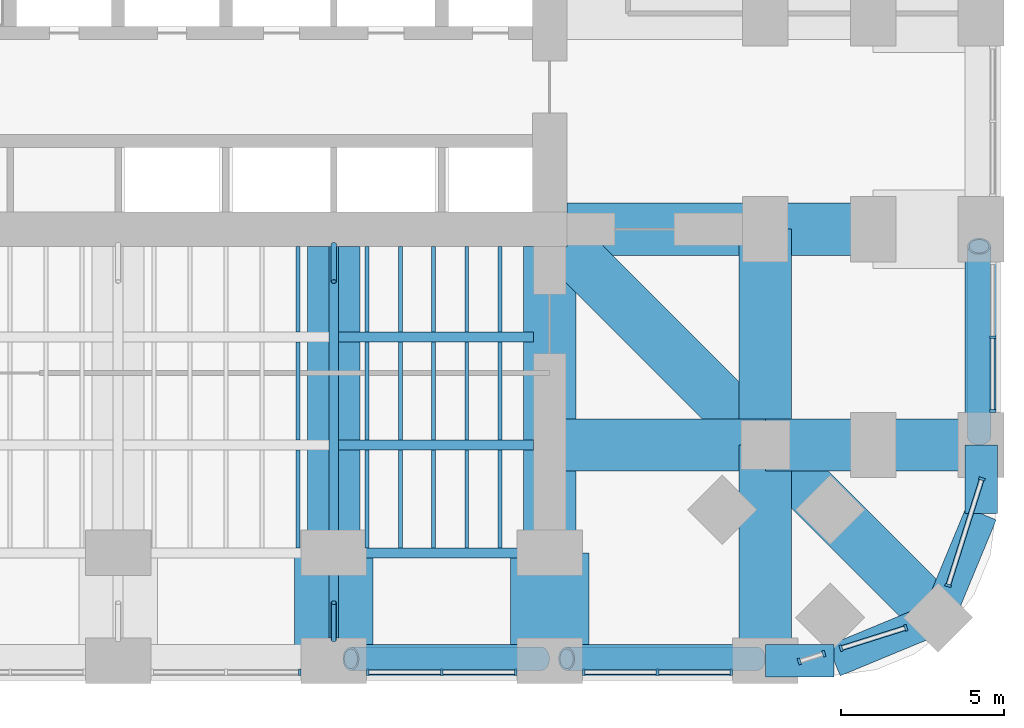
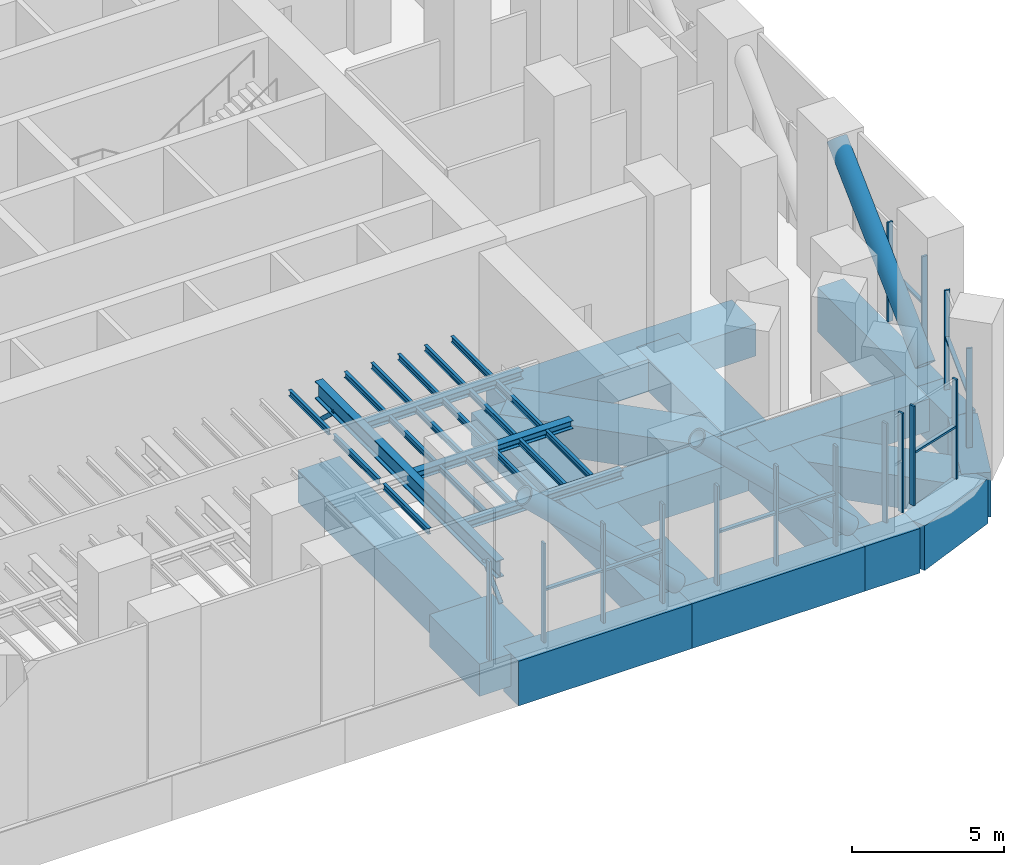
# One storey, part 5 of 17: 40 beams, 27 members, 7 elements without a shape of their own.
"""IFC4 building model written with IfcOpenShell, lengths in metres."""

from ifc_helpers import new_model, si_unit, direction, frame, origin, origin_2d, place, context, subcontext, project, spatial, rectangle, hollow_circle, i_section, extrude, material, material_profile, profile_set, type_object, element, aggregate, save


model = new_model("IFC4")

# Units and contexts
model_context = context("Model", 3, precision=1e-05, world=origin(), true_north=direction((0.0, 1.0)))
body_context = subcontext(model_context, "Body", "Model", "MODEL_VIEW")
ifc_project = project(units=[si_unit("LENGTHUNIT", "METRE"), si_unit("AREAUNIT", "SQUARE_METRE"), si_unit("VOLUMEUNIT", "CUBIC_METRE"), si_unit("PLANEANGLEUNIT", "RADIAN"), si_unit("MASSUNIT", "GRAM", prefix="KILO")], contexts=[model_context])

# Site, building, storey
site_placement = place(None, origin())
site = spatial("IfcSite", under=ifc_project, at=site_placement, CompositionType="ELEMENT")
building_placement = place(site_placement, origin())
building = spatial("IfcBuilding", under=site, at=building_placement, Name="Cobogo Forest Laboratory Tower", CompositionType="ELEMENT")
storey_placement = place(building_placement, frame((0.0, 0.0, 75.89990234375)))
storey = spatial("IfcBuildingStorey", under=building, at=storey_placement, Name="L17", CompositionType="ELEMENT", Elevation=75.89990234375)

# Members
ifc_material_1 = material(Name="Steel S460NH", Category="steel")
ifc_material_profile_1 = material_profile(ifc_material_1, hollow_circle(Radius=0.35546875, WallThickness=0.06005859375, at=origin_2d()), Name="CHS 711x60")
ifc_profile_set_1 = profile_set([ifc_material_profile_1], Name="Steel S460NH")
member_type_1 = type_object("IfcMemberType", Name="Belt truss diagonal CHS 711x60", PredefinedType="BRACE", material=ifc_profile_set_1)
for number, where, z_axis, x_axis, name in (
    (1, (39.35009765625, 0.06005859375, 0.23876953125), (-0.723363796511, 0.0, 0.690467101242), (0.0, -1.0, 0.0), "BT1 belt truss diagonal S05 L17"),
    (2, (45.949951171875, 0.06005859375, 0.23876953125), (-0.723349354665, 0.0, 0.69048223084), (0.0, -1.0, 0.0), "BT1 belt truss diagonal S06 L17"),
    (3, (52.739990234375, 6.85009765625, 0.23876953125), (0.0, 0.723349354665, 0.69048223084), (-1.0, 0.0, 0.0), "BT1 belt truss diagonal E07 L17"),
):
    element("IfcMember", number, at=place(storey_placement, frame(where, z_axis=z_axis, x_axis=x_axis)), inside=storey, type_object=member_type_1, Name=name, PredefinedType="BRACE", context=body_context, shape_type="SweptSolid", body=[
        extrude(hollow_circle(Radius=0.35546875, WallThickness=0.06005859375, at=origin_2d()), origin(), (0.0, 0.0, 1.0), 8.0595703125),
    ])

# Curtain wall, member
ifc_material_2 = material(Name="Aluminium curtain wall", Category="aluminium")
curtain_wall_type = type_object("IfcCurtainWallType", Name="CW-P louvred curtain wall, plant floors", PredefinedType="USERDEFINED", material=ifc_material_2)
curtain_wall_1_placement = place(storey_placement, origin())
curtain_wall_1 = element("IfcCurtainWall", 4, at=curtain_wall_1_placement, inside=storey, type_object=curtain_wall_type, Name="Curtain wall 04 L17", ObjectType="LOUVRED CURTAIN WALL", PredefinedType="USERDEFINED")
ifc_material_3 = material(Name="Aluminium mullion", Category="aluminium")
ifc_material_profile_2 = material_profile(ifc_material_3, rectangle(XDim=0.080078125, YDim=0.199951171875, at=origin_2d()), Name="AL 80x200")
ifc_profile_set_2 = profile_set([ifc_material_profile_2], Name="Aluminium mullion")
member_type_2 = type_object("IfcMemberType", Name="MU-3 aluminium louvre mullion 80x200", PredefinedType="MULLION", material=ifc_profile_set_2)
member_1_placement = place(storey_placement, frame((31.9599609375, -0.35009765625, 0.0), z_axis=(0.0, 0.0, 1.0), x_axis=(1.0, 0.0, 0.0)))
member_1 = element("IfcMember", 5, at=member_1_placement, type_object=member_type_2, Name="CW-P mullion 3", PredefinedType="MULLION", context=body_context, shape_type="SweptSolid", body=[
    extrude(rectangle(XDim=0.080078125, YDim=0.199951171875, at=origin_2d()), origin(), (0.0, 0.0, 1.0), 4.0),
])
aggregate(curtain_wall_1, [member_1])

# Curtain wall, members
curtain_wall_2_placement = place(storey_placement, origin())
curtain_wall_2 = element("IfcCurtainWall", 6, at=curtain_wall_2_placement, inside=storey, type_object=curtain_wall_type, Name="Curtain wall 05 L17", ObjectType="LOUVRED CURTAIN WALL", PredefinedType="USERDEFINED")
member_2_placement = place(storey_placement, frame((34.0400390625, -0.35009765625, 0.0), z_axis=(0.0, 0.0, 1.0), x_axis=(1.0, 0.0, 0.0)))
member_2 = element("IfcMember", 7, at=member_2_placement, type_object=member_type_2, Name="CW-P mullion 1", PredefinedType="MULLION", context=body_context, shape_type="SweptSolid", body=[
    extrude(rectangle(XDim=0.080078125, YDim=0.199951171875, at=origin_2d()), origin(), (0.0, 0.0, 1.0), 4.0),
])
member_3_placement = place(storey_placement, frame((36.300048828125, -0.35009765625, 0.0), z_axis=(0.0, 0.0, 1.0), x_axis=(1.0, 0.0, 0.0)))
member_3 = element("IfcMember", 8, at=member_3_placement, type_object=member_type_2, Name="CW-P mullion 2", PredefinedType="MULLION", context=body_context, shape_type="SweptSolid", body=[
    extrude(rectangle(XDim=0.080078125, YDim=0.199951171875, at=origin_2d()), origin(), (0.0, 0.0, 1.0), 4.0),
])
member_4_placement = place(storey_placement, frame((38.56005859375, -0.35009765625, 0.0), z_axis=(0.0, 0.0, 1.0), x_axis=(1.0, 0.0, 0.0)))
member_4 = element("IfcMember", 9, at=member_4_placement, type_object=member_type_2, Name="CW-P mullion 3", PredefinedType="MULLION", context=body_context, shape_type="SweptSolid", body=[
    extrude(rectangle(XDim=0.080078125, YDim=0.199951171875, at=origin_2d()), origin(), (0.0, 0.0, 1.0), 4.0),
])

curtain_wall_3_placement = place(storey_placement, origin())
curtain_wall_3 = element("IfcCurtainWall", 10, at=curtain_wall_3_placement, inside=storey, type_object=curtain_wall_type, Name="Curtain wall 06 L17", ObjectType="LOUVRED CURTAIN WALL", PredefinedType="USERDEFINED")
member_5_placement = place(storey_placement, frame((40.639892578125, -0.35009765625, 0.0), z_axis=(0.0, 0.0, 1.0), x_axis=(1.0, 0.0, 0.0)))
member_5 = element("IfcMember", 11, at=member_5_placement, type_object=member_type_2, Name="CW-P mullion 1", PredefinedType="MULLION", context=body_context, shape_type="SweptSolid", body=[
    extrude(rectangle(XDim=0.080078125, YDim=0.199951171875, at=origin_2d()), origin(), (0.0, 0.0, 1.0), 4.0),
])
member_6_placement = place(storey_placement, frame((42.89990234375, -0.35009765625, 0.0), z_axis=(0.0, 0.0, 1.0), x_axis=(1.0, 0.0, 0.0)))
member_6 = element("IfcMember", 12, at=member_6_placement, type_object=member_type_2, Name="CW-P mullion 2", PredefinedType="MULLION", context=body_context, shape_type="SweptSolid", body=[
    extrude(rectangle(XDim=0.080078125, YDim=0.199951171875, at=origin_2d()), origin(), (0.0, 0.0, 1.0), 4.0),
])
member_7_placement = place(storey_placement, frame((45.159912109375, -0.35009765625, 0.0), z_axis=(0.0, 0.0, 1.0), x_axis=(1.0, 0.0, 0.0)))
member_7 = element("IfcMember", 13, at=member_7_placement, type_object=member_type_2, Name="CW-P mullion 3", PredefinedType="MULLION", context=body_context, shape_type="SweptSolid", body=[
    extrude(rectangle(XDim=0.080078125, YDim=0.199951171875, at=origin_2d()), origin(), (0.0, 0.0, 1.0), 4.0),
])

curtain_wall_4_placement = place(storey_placement, origin())
curtain_wall_4 = element("IfcCurtainWall", 14, at=curtain_wall_4_placement, inside=storey, type_object=curtain_wall_type, Name="Curtain wall 07 L17", ObjectType="LOUVRED CURTAIN WALL", PredefinedType="USERDEFINED")
member_8_placement = place(storey_placement, frame((47.238037109375, -0.022216796875, 0.0), z_axis=(0.0, 0.0, 1.0), x_axis=(0.953581151143, 0.301136162199, 0.0)))
member_8 = element("IfcMember", 15, at=member_8_placement, type_object=member_type_2, Name="CW-P mullion 1", PredefinedType="MULLION", context=body_context, shape_type="SweptSolid", body=[
    extrude(rectangle(XDim=0.080078125, YDim=0.199951171875, at=origin_2d()), origin(), (0.0, 0.0, 1.0), 4.0),
])
member_9_placement = place(storey_placement, frame((47.989990234375, 0.21533203125, 0.0), z_axis=(0.0, 0.0, 1.0), x_axis=(0.953581151143, 0.301136162199, 0.0)))
member_9 = element("IfcMember", 16, at=member_9_placement, type_object=member_type_2, Name="CW-P mullion 2", PredefinedType="MULLION", context=body_context, shape_type="SweptSolid", body=[
    extrude(rectangle(XDim=0.080078125, YDim=0.199951171875, at=origin_2d()), origin(), (0.0, 0.0, 1.0), 4.0),
])
aggregate(curtain_wall_4, [member_8, member_9])

curtain_wall_5_placement = place(storey_placement, origin())
curtain_wall_5 = element("IfcCurtainWall", 17, at=curtain_wall_5_placement, inside=storey, type_object=curtain_wall_type, Name="Curtain wall 08 L17", ObjectType="LOUVRED CURTAIN WALL", PredefinedType="USERDEFINED")
member_10_placement = place(storey_placement, frame((48.515869140625, 0.38134765625, 0.0), z_axis=(0.0, 0.0, 1.0), x_axis=(0.953581348836, 0.301135536184, 0.0)))
member_10 = element("IfcMember", 18, at=member_10_placement, type_object=member_type_2, Name="CW-P mullion 1", PredefinedType="MULLION", context=body_context, shape_type="SweptSolid", body=[
    extrude(rectangle(XDim=0.080078125, YDim=0.199951171875, at=origin_2d()), origin(), (0.0, 0.0, 1.0), 4.0),
])
member_11_placement = place(storey_placement, frame((50.498046875, 1.00732421875, 0.0), z_axis=(0.0, 0.0, 1.0), x_axis=(0.953581348836, 0.301135536184, 0.0)))
member_11 = element("IfcMember", 19, at=member_11_placement, type_object=member_type_2, Name="CW-P mullion 2", PredefinedType="MULLION", context=body_context, shape_type="SweptSolid", body=[
    extrude(rectangle(XDim=0.080078125, YDim=0.199951171875, at=origin_2d()), origin(), (0.0, 0.0, 1.0), 4.0),
])

curtain_wall_6_placement = place(storey_placement, origin())
curtain_wall_6 = element("IfcCurtainWall", 20, at=curtain_wall_6_placement, inside=storey, type_object=curtain_wall_type, Name="Curtain wall 09 L17", ObjectType="LOUVRED CURTAIN WALL", PredefinedType="USERDEFINED")
member_12_placement = place(storey_placement, frame((51.792724609375, 2.302001953125, 0.0), z_axis=(0.0, 0.0, 1.0), x_axis=(0.301135635976, 0.953581317322, 0.0)))
member_12 = element("IfcMember", 21, at=member_12_placement, type_object=member_type_2, Name="CW-P mullion 1", PredefinedType="MULLION", context=body_context, shape_type="SweptSolid", body=[
    extrude(rectangle(XDim=0.080078125, YDim=0.199951171875, at=origin_2d()), origin(), (0.0, 0.0, 1.0), 4.0),
])
member_13_placement = place(storey_placement, frame((52.822265625, 5.561767578125, 0.0), z_axis=(0.0, 0.0, 1.0), x_axis=(0.301135635976, 0.953581317322, 0.0)))
member_13 = element("IfcMember", 22, at=member_13_placement, type_object=member_type_2, Name="CW-P mullion 2", PredefinedType="MULLION", context=body_context, shape_type="SweptSolid", body=[
    extrude(rectangle(XDim=0.080078125, YDim=0.199951171875, at=origin_2d()), origin(), (0.0, 0.0, 1.0), 4.0),
])

curtain_wall_7_placement = place(storey_placement, origin())
curtain_wall_7 = element("IfcCurtainWall", 23, at=curtain_wall_7_placement, inside=storey, type_object=curtain_wall_type, Name="Curtain wall 10 L17", ObjectType="LOUVRED CURTAIN WALL", PredefinedType="USERDEFINED")
member_14_placement = place(storey_placement, frame((53.14990234375, 7.639892578125, 0.0), z_axis=(0.0, 0.0, 1.0), x_axis=(0.0, 1.0, 0.0)))
member_14 = element("IfcMember", 24, at=member_14_placement, type_object=member_type_2, Name="CW-P mullion 1", PredefinedType="MULLION", context=body_context, shape_type="SweptSolid", body=[
    extrude(rectangle(XDim=0.080078125, YDim=0.199951171875, at=origin_2d()), origin(), (0.0, 0.0, 1.0), 4.0),
])
member_15_placement = place(storey_placement, frame((53.14990234375, 9.89990234375, 0.0), z_axis=(0.0, 0.0, 1.0), x_axis=(0.0, 1.0, 0.0)))
member_15 = element("IfcMember", 25, at=member_15_placement, type_object=member_type_2, Name="CW-P mullion 2", PredefinedType="MULLION", context=body_context, shape_type="SweptSolid", body=[
    extrude(rectangle(XDim=0.080078125, YDim=0.199951171875, at=origin_2d()), origin(), (0.0, 0.0, 1.0), 4.0),
])

# Beams
ifc_material_4 = material(Name="Concrete HA-40 (C40/50)", Category="concrete")
ifc_material_profile_3 = material_profile(ifc_material_4, rectangle(XDim=1.60009765625, YDim=1.300048828125, at=origin_2d()), Name="RC 1600x1300")
ifc_profile_set_3 = profile_set([ifc_material_profile_3], Name="Concrete HA-40 (C40/50)")
beam_type_1 = type_object("IfcBeamType", Name="Plant and roof garden wide beam 1600x1300", PredefinedType="BEAM", material=ifc_profile_set_3)
for number, where, z_axis, x_axis, name in (
    (26, (33.0, 12.675048828125, -1.0), (0.0, -1.0, 0.0), (1.0, 0.0, 0.0), "RB4 R-6-S L17"),
    (27, (39.60009765625, 12.675048828125, -1.0), (0.0, -1.0, 0.0), (1.0, 0.0, 0.0), "RB4 R-7-S L17"),
    (28, (40.125, 13.199951171875, -1.0), (1.0, 0.0, 0.0), (0.0, 1.0, 0.0), "RB4 R-C-E L17"),
):
    element("IfcBeam", number, at=place(storey_placement, frame(where, z_axis=z_axis, x_axis=x_axis)), inside=storey, type_object=beam_type_1, Name=name, PredefinedType="BEAM", context=body_context, shape_type="SweptSolid", body=[
        extrude(rectangle(XDim=1.60009765625, YDim=1.300048828125, at=origin_2d()), origin(), (0.0, 0.0, 1.0), 9.375),
    ])
beam_1_placement = place(storey_placement, frame((46.199951171875, 0.0, -1.0), z_axis=(0.0, 1.0, 0.0), x_axis=(-1.0, 0.0, 0.0)))
element("IfcBeam", 29, at=beam_1_placement, inside=storey, type_object=beam_type_1, Name="RB4 G-SE-XF L17", PredefinedType="BEAM", context=body_context, shape_type="SweptSolid", body=[
    extrude(rectangle(XDim=1.60009765625, YDim=1.300048828125, at=origin_2d()), origin(), (0.0, 0.0, 1.0), 6.60009765625),
])
beam_2_placement = place(storey_placement, frame((46.199951171875, 6.60009765625, -1.0), z_axis=(0.0, 1.0, 0.0), x_axis=(-1.0, 0.0, 0.0)))
element("IfcBeam", 30, at=beam_2_placement, inside=storey, type_object=beam_type_1, Name="RB4 G-SE-XC L17", PredefinedType="BEAM", context=body_context, shape_type="SweptSolid", body=[
    extrude(rectangle(XDim=1.60009765625, YDim=1.300048828125, at=origin_2d()), origin(), (0.0, 0.0, 1.0), 6.599853515625),
])
beam_3_placement = place(storey_placement, frame((52.800048828125, 6.60009765625, -1.0), z_axis=(-1.0, 0.0, 0.0), x_axis=(0.0, -1.0, 0.0)))
element("IfcBeam", 31, at=beam_3_placement, inside=storey, type_object=beam_type_1, Name="RB4 G-SE-YF L17", PredefinedType="BEAM", context=body_context, shape_type="SweptSolid", body=[
    extrude(rectangle(XDim=1.60009765625, YDim=1.300048828125, at=origin_2d()), origin(), (0.0, 0.0, 1.0), 6.60009765625),
])
beam_4_placement = place(storey_placement, frame((46.199951171875, 6.60009765625, -1.0), z_axis=(-1.0, 0.0, 0.0), x_axis=(0.0, -1.0, 0.0)))
element("IfcBeam", 32, at=beam_4_placement, inside=storey, type_object=beam_type_1, Name="RB4 G-SE-YC L17", PredefinedType="BEAM", context=body_context, shape_type="SweptSolid", body=[
    extrude(rectangle(XDim=1.60009765625, YDim=1.300048828125, at=origin_2d()), origin(), (0.0, 0.0, 1.0), 6.599853515625),
])
beam_5_placement = place(storey_placement, frame((51.48193359375, 1.318115234375, -1.0), z_axis=(-0.707106781187, 0.707106781187, 0.0), x_axis=(-0.707106781187, -0.707106781187, 0.0)))
element("IfcBeam", 33, at=beam_5_placement, inside=storey, type_object=beam_type_1, Name="RB4 G-SE-D1 L17", PredefinedType="BEAM", context=body_context, shape_type="SweptSolid", body=[
    extrude(rectangle(XDim=1.60009765625, YDim=1.300048828125, at=origin_2d()), origin(), (0.0, 0.0, 1.0), 7.469970703125),
])
beam_6_placement = place(storey_placement, frame((46.199951171875, 6.60009765625, -1.0), z_axis=(-0.707106781187, 0.707106781187, 0.0), x_axis=(-0.707106781187, -0.707106781187, 0.0)))
element("IfcBeam", 34, at=beam_6_placement, inside=storey, type_object=beam_type_1, Name="RB4 G-SE-D2 L17", PredefinedType="BEAM", context=body_context, shape_type="SweptSolid", body=[
    extrude(rectangle(XDim=1.60009765625, YDim=1.300048828125, at=origin_2d()), origin(), (0.0, 0.0, 1.0), 8.59130859375),
])
ifc_material_5 = material(Name="Concrete HA-50 (C50/60)", Category="concrete")
ifc_material_profile_4 = material_profile(ifc_material_5, rectangle(XDim=2.39990234375, YDim=1.300048828125, at=origin_2d()), Name="RC 2400x1300")
ifc_profile_set_4 = profile_set([ifc_material_profile_4], Name="Concrete HA-50 (C50/60)")
beam_type_2 = type_object("IfcBeamType", Name="Plant floor end-bay beam 2400x1300", PredefinedType="BEAM", material=ifc_profile_set_4)
for number, where, z_axis, x_axis, name in (
    (35, (33.0, 0.0, -1.0), (0.0, 1.0, 0.0), (-1.0, 0.0, 0.0), "RB6 R-6-S-X L17"),
    (36, (39.60009765625, 0.0, -1.0), (0.0, 1.0, 0.0), (-1.0, 0.0, 0.0), "RB6 R-7-S-X L17"),
):
    element("IfcBeam", number, at=place(storey_placement, frame(where, z_axis=z_axis, x_axis=x_axis)), inside=storey, type_object=beam_type_2, Name=name, PredefinedType="BEAM", context=body_context, shape_type="SweptSolid", body=[
        extrude(rectangle(XDim=2.39990234375, YDim=1.300048828125, at=origin_2d()), origin(), (0.0, 0.0, 1.0), 3.300048828125),
    ])
ifc_material_profile_5 = material_profile(ifc_material_4, rectangle(XDim=1.0, YDim=1.800048828125, at=origin_2d()), Name="RC 1000x1800")
ifc_profile_set_5 = profile_set([ifc_material_profile_5], Name="Concrete HA-40 (C40/50)")
beam_type_3 = type_object("IfcBeamType", Name="Plant floor perimeter girder 1000x1800", PredefinedType="BEAM", material=ifc_profile_set_5)
beam_7_placement = place(storey_placement, frame((33.0, 0.0, -1.25), z_axis=(1.0, 0.0, 0.0), x_axis=(0.0, 1.0, 0.0)))
element("IfcBeam", 37, at=beam_7_placement, inside=storey, type_object=beam_type_3, Name="TG1 E-S5 L17", PredefinedType="BEAM", context=body_context, shape_type="SweptSolid", body=[
    extrude(rectangle(XDim=1.0, YDim=1.800048828125, at=origin_2d()), origin(), (0.0, 0.0, 1.0), 6.60009765625),
])
for number, where, z_axis, x_axis, name in (
    (38, (39.60009765625, 0.0, -1.25), (1.0, 0.0, 0.0), (0.0, 1.0, 0.0), "TG1 E-S6 L17"),
    (39, (52.800048828125, 6.60009765625, -1.25), (0.0, 1.0, 0.0), (-1.0, 0.0, 0.0), "TG1 E-E1 L17"),
):
    element("IfcBeam", number, at=place(storey_placement, frame(where, z_axis=z_axis, x_axis=x_axis)), inside=storey, type_object=beam_type_3, Name=name, PredefinedType="BEAM", context=body_context, shape_type="SweptSolid", body=[
        extrude(rectangle(XDim=1.0, YDim=1.800048828125, at=origin_2d()), origin(), (0.0, 0.0, 1.0), 6.599853515625),
    ])
beam_8_placement = place(storey_placement, frame((46.199951171875, 0.0, -1.25), z_axis=(1.0, 0.0, 0.0), x_axis=(0.0, 1.0, 0.0)))
element("IfcBeam", 40, at=beam_8_placement, inside=storey, type_object=beam_type_3, Name="TG1 E-SES1 L17", PredefinedType="BEAM", context=body_context, shape_type="SweptSolid", body=[
    extrude(rectangle(XDim=1.0, YDim=1.800048828125, at=origin_2d()), origin(), (0.0, 0.0, 1.0), 2.10009765625),
])
beam_9_placement = place(storey_placement, frame((48.300048828125, 0.0, -1.25), z_axis=(0.923865631356, 0.382716990999, 0.0), x_axis=(-0.382716990999, 0.923865631356, 0.0)))
element("IfcBeam", 41, at=beam_9_placement, inside=storey, type_object=beam_type_3, Name="TG1 E-SES2 L17", PredefinedType="BEAM", context=body_context, shape_type="SweptSolid", body=[
    extrude(rectangle(XDim=1.0, YDim=1.800048828125, at=origin_2d()), origin(), (0.0, 0.0, 1.0), 3.444091796875),
])
beam_10_placement = place(storey_placement, frame((52.800048828125, 6.60009765625, -1.25), z_axis=(0.0, -1.0, 0.0), x_axis=(1.0, 0.0, 0.0)))
element("IfcBeam", 42, at=beam_10_placement, inside=storey, type_object=beam_type_3, Name="TG1 E-SEE1 L17", PredefinedType="BEAM", context=body_context, shape_type="SweptSolid", body=[
    extrude(rectangle(XDim=1.0, YDim=1.800048828125, at=origin_2d()), origin(), (0.0, 0.0, 1.0), 2.10009765625),
])
beam_11_placement = place(storey_placement, frame((52.800048828125, 4.5, -1.25), z_axis=(-0.382716990999, -0.923865631356, 0.0), x_axis=(0.923865631356, -0.382716990999, 0.0)))
element("IfcBeam", 43, at=beam_11_placement, inside=storey, type_object=beam_type_3, Name="TG1 E-SEE2 L17", PredefinedType="BEAM", context=body_context, shape_type="SweptSolid", body=[
    extrude(rectangle(XDim=1.0, YDim=1.800048828125, at=origin_2d()), origin(), (0.0, 0.0, 1.0), 3.444091796875),
])

# Members
ifc_material_6 = material(Name="Steel S355", Category="steel")
ifc_material_profile_6 = material_profile(ifc_material_6, hollow_circle(Radius=0.084228515625, WallThickness=0.008056640625, at=origin_2d()), Name="CHS 168.3x8")
ifc_profile_set_6 = profile_set([ifc_material_profile_6], Name="Steel S355")
member_type_3 = type_object("IfcMemberType", Name="Plant knee brace CHS 168.3x8", PredefinedType="BRACE", material=ifc_profile_set_6)
for number, where, z_axis, x_axis, name in (
    (44, (33.0, 0.640380859375, 1.300048828125), (0.0, 0.727221301203, 0.686403073329), (-1.0, 0.0, 0.0), "PX1 AHU-S knee brace 6-1 L17"),
    (45, (33.0, 12.734619140625, 1.300048828125), (0.0, -0.727221301203, 0.686403073329), (1.0, 0.0, 0.0), "PX1 AHU-S knee brace 6-2 L17"),
):
    element("IfcMember", number, at=place(storey_placement, frame(where, z_axis=z_axis, x_axis=x_axis)), inside=storey, type_object=member_type_3, Name=name, PredefinedType="BRACE", context=body_context, shape_type="SweptSolid", body=[
        extrude(hollow_circle(Radius=0.084228515625, WallThickness=0.008056640625, at=origin_2d()), origin(), (0.0, 0.0, 1.0), 1.56103515625),
    ])

# Beams
ifc_material_profile_7 = material_profile(ifc_material_6, i_section(OverallWidth=0.300048828125, OverallDepth=0.330078125, WebThickness=0.009521484375, FlangeThickness=0.0166015625, FilletRadius=0.027099609375, at=origin_2d()), Name="HEA 340")
ifc_profile_set_7 = profile_set([ifc_material_profile_7], Name="Steel S355")
beam_type_4 = type_object("IfcBeamType", Name="Plant platform beam HEA 340", PredefinedType="BEAM", material=ifc_profile_set_7)
for number, where, z_axis, x_axis, name in (
    (46, (33.14990234375, 3.300048828125, 2.835205078125), (1.0, 0.0, 0.0), (0.0, 1.0, 0.0), "PB1 AHU-S platform beam 4 at 3300 L17"),
    (47, (33.14990234375, 6.60009765625, 2.835205078125), (1.0, 0.0, 0.0), (0.0, 1.0, 0.0), "PB1 AHU-S platform beam 4 at 6600 L17"),
    (48, (33.14990234375, 9.89990234375, 2.835205078125), (1.0, 0.0, 0.0), (0.0, 1.0, 0.0), "PB1 AHU-S platform beam 4 at 9900 L17"),
):
    element("IfcBeam", number, at=place(storey_placement, frame(where, z_axis=z_axis, x_axis=x_axis)), inside=storey, type_object=beam_type_4, Name=name, PredefinedType="BEAM", context=body_context, shape_type="SweptSolid", body=[
        extrude(i_section(OverallWidth=0.300048828125, OverallDepth=0.330078125, WebThickness=0.009521484375, FlangeThickness=0.0166015625, FilletRadius=0.027099609375, at=origin_2d()), origin(), (0.0, 0.0, 1.0), 5.9501953125),
    ])
ifc_material_profile_8 = material_profile(ifc_material_6, i_section(OverallWidth=0.300048828125, OverallDepth=0.699951171875, WebThickness=0.01708984375, FlangeThickness=0.031982421875, FilletRadius=0.027099609375, at=origin_2d()), Name="HEB 700")
ifc_profile_set_8 = profile_set([ifc_material_profile_8], Name="Steel S355")
beam_type_5 = type_object("IfcBeamType", Name="Plant platform girder HEB 700", PredefinedType="BEAM", material=ifc_profile_set_8)
beam_12_placement = place(storey_placement, frame((33.0, 0.699951171875, 2.650146484375), z_axis=(0.0, 1.0, 0.0), x_axis=(-1.0, 0.0, 0.0)))
element("IfcBeam", 49, at=beam_12_placement, inside=storey, type_object=beam_type_5, Name="PG1 AHU-S girder 6 L17", PredefinedType="BEAM", context=body_context, shape_type="SweptSolid", body=[
    extrude(i_section(OverallWidth=0.300048828125, OverallDepth=0.699951171875, WebThickness=0.01708984375, FlangeThickness=0.031982421875, FilletRadius=0.027099609375, at=origin_2d()), origin(), (0.0, 0.0, 1.0), 11.97509765625),
])
ifc_material_profile_9 = material_profile(ifc_material_6, i_section(OverallWidth=0.1201171875, OverallDepth=0.239990234375, WebThickness=0.006103515625, FlangeThickness=0.009765625, FilletRadius=0.014892578125, at=origin_2d()), Name="IPE 240")
ifc_profile_set_9 = profile_set([ifc_material_profile_9], Name="Steel S355")
beam_type_6 = type_object("IfcBeamType", Name="Plant platform joist IPE 240", PredefinedType="JOIST", material=ifc_profile_set_9)
for number, where, z_axis, x_axis, name in (
    (50, (31.89990234375, 3.449951171875, 2.880126953125), (0.0, 1.0, 0.0), (-1.0, 0.0, 0.0), "PJ1 AHU-S joist 3.5 row 1 L17"),
    (51, (31.89990234375, 6.75, 2.880126953125), (0.0, 1.0, 0.0), (-1.0, 0.0, 0.0), "PJ1 AHU-S joist 3.5 row 2 L17"),
):
    element("IfcBeam", number, at=place(storey_placement, frame(where, z_axis=z_axis, x_axis=x_axis)), inside=storey, type_object=beam_type_6, Name=name, PredefinedType="JOIST", context=body_context, shape_type="SweptSolid", body=[
        extrude(i_section(OverallWidth=0.1201171875, OverallDepth=0.239990234375, WebThickness=0.006103515625, FlangeThickness=0.009765625, FilletRadius=0.014892578125, at=origin_2d()), origin(), (0.0, 0.0, 1.0), 3.0),
    ])
beam_13_placement = place(storey_placement, frame((31.89990234375, 10.050048828125, 2.880126953125), z_axis=(0.0, 1.0, 0.0), x_axis=(-1.0, 0.0, 0.0)))
element("IfcBeam", 52, at=beam_13_placement, inside=storey, type_object=beam_type_6, Name="PJ1 AHU-S joist 3.5 row 3 L17", PredefinedType="JOIST", context=body_context, shape_type="SweptSolid", body=[
    extrude(i_section(OverallWidth=0.1201171875, OverallDepth=0.239990234375, WebThickness=0.006103515625, FlangeThickness=0.009765625, FilletRadius=0.014892578125, at=origin_2d()), origin(), (0.0, 0.0, 1.0), 2.625),
])
for number, where, z_axis, x_axis, name in (
    (53, (34.0166015625, 3.449951171875, 2.880126953125), (0.0, 1.0, 0.0), (-1.0, 0.0, 0.0), "PJ1 AHU-S joist 4.1 row 1 L17"),
    (54, (34.0166015625, 6.75, 2.880126953125), (0.0, 1.0, 0.0), (-1.0, 0.0, 0.0), "PJ1 AHU-S joist 4.1 row 2 L17"),
):
    element("IfcBeam", number, at=place(storey_placement, frame(where, z_axis=z_axis, x_axis=x_axis)), inside=storey, type_object=beam_type_6, Name=name, PredefinedType="JOIST", context=body_context, shape_type="SweptSolid", body=[
        extrude(i_section(OverallWidth=0.1201171875, OverallDepth=0.239990234375, WebThickness=0.006103515625, FlangeThickness=0.009765625, FilletRadius=0.014892578125, at=origin_2d()), origin(), (0.0, 0.0, 1.0), 3.0),
    ])
beam_14_placement = place(storey_placement, frame((34.0166015625, 10.050048828125, 2.880126953125), z_axis=(0.0, 1.0, 0.0), x_axis=(-1.0, 0.0, 0.0)))
element("IfcBeam", 55, at=beam_14_placement, inside=storey, type_object=beam_type_6, Name="PJ1 AHU-S joist 4.1 row 3 L17", PredefinedType="JOIST", context=body_context, shape_type="SweptSolid", body=[
    extrude(i_section(OverallWidth=0.1201171875, OverallDepth=0.239990234375, WebThickness=0.006103515625, FlangeThickness=0.009765625, FilletRadius=0.014892578125, at=origin_2d()), origin(), (0.0, 0.0, 1.0), 2.625),
])
for number, where, z_axis, x_axis, name in (
    (56, (35.033447265625, 3.449951171875, 2.880126953125), (0.0, 1.0, 0.0), (-1.0, 0.0, 0.0), "PJ1 AHU-S joist 4.2 row 1 L17"),
    (57, (35.033447265625, 6.75, 2.880126953125), (0.0, 1.0, 0.0), (-1.0, 0.0, 0.0), "PJ1 AHU-S joist 4.2 row 2 L17"),
):
    element("IfcBeam", number, at=place(storey_placement, frame(where, z_axis=z_axis, x_axis=x_axis)), inside=storey, type_object=beam_type_6, Name=name, PredefinedType="JOIST", context=body_context, shape_type="SweptSolid", body=[
        extrude(i_section(OverallWidth=0.1201171875, OverallDepth=0.239990234375, WebThickness=0.006103515625, FlangeThickness=0.009765625, FilletRadius=0.014892578125, at=origin_2d()), origin(), (0.0, 0.0, 1.0), 3.0),
    ])
beam_15_placement = place(storey_placement, frame((35.033447265625, 10.050048828125, 2.880126953125), z_axis=(0.0, 1.0, 0.0), x_axis=(-1.0, 0.0, 0.0)))
element("IfcBeam", 58, at=beam_15_placement, inside=storey, type_object=beam_type_6, Name="PJ1 AHU-S joist 4.2 row 3 L17", PredefinedType="JOIST", context=body_context, shape_type="SweptSolid", body=[
    extrude(i_section(OverallWidth=0.1201171875, OverallDepth=0.239990234375, WebThickness=0.006103515625, FlangeThickness=0.009765625, FilletRadius=0.014892578125, at=origin_2d()), origin(), (0.0, 0.0, 1.0), 2.625),
])
for number, where, z_axis, x_axis, name in (
    (59, (36.050048828125, 3.449951171875, 2.880126953125), (0.0, 1.0, 0.0), (-1.0, 0.0, 0.0), "PJ1 AHU-S joist 4.3 row 1 L17"),
    (60, (36.050048828125, 6.75, 2.880126953125), (0.0, 1.0, 0.0), (-1.0, 0.0, 0.0), "PJ1 AHU-S joist 4.3 row 2 L17"),
):
    element("IfcBeam", number, at=place(storey_placement, frame(where, z_axis=z_axis, x_axis=x_axis)), inside=storey, type_object=beam_type_6, Name=name, PredefinedType="JOIST", context=body_context, shape_type="SweptSolid", body=[
        extrude(i_section(OverallWidth=0.1201171875, OverallDepth=0.239990234375, WebThickness=0.006103515625, FlangeThickness=0.009765625, FilletRadius=0.014892578125, at=origin_2d()), origin(), (0.0, 0.0, 1.0), 3.0),
    ])
beam_16_placement = place(storey_placement, frame((36.050048828125, 10.050048828125, 2.880126953125), z_axis=(0.0, 1.0, 0.0), x_axis=(-1.0, 0.0, 0.0)))
element("IfcBeam", 61, at=beam_16_placement, inside=storey, type_object=beam_type_6, Name="PJ1 AHU-S joist 4.3 row 3 L17", PredefinedType="JOIST", context=body_context, shape_type="SweptSolid", body=[
    extrude(i_section(OverallWidth=0.1201171875, OverallDepth=0.239990234375, WebThickness=0.006103515625, FlangeThickness=0.009765625, FilletRadius=0.014892578125, at=origin_2d()), origin(), (0.0, 0.0, 1.0), 2.625),
])
for number, where, z_axis, x_axis, name in (
    (62, (37.066650390625, 3.449951171875, 2.880126953125), (0.0, 1.0, 0.0), (-1.0, 0.0, 0.0), "PJ1 AHU-S joist 4.4 row 1 L17"),
    (63, (37.066650390625, 6.75, 2.880126953125), (0.0, 1.0, 0.0), (-1.0, 0.0, 0.0), "PJ1 AHU-S joist 4.4 row 2 L17"),
):
    element("IfcBeam", number, at=place(storey_placement, frame(where, z_axis=z_axis, x_axis=x_axis)), inside=storey, type_object=beam_type_6, Name=name, PredefinedType="JOIST", context=body_context, shape_type="SweptSolid", body=[
        extrude(i_section(OverallWidth=0.1201171875, OverallDepth=0.239990234375, WebThickness=0.006103515625, FlangeThickness=0.009765625, FilletRadius=0.014892578125, at=origin_2d()), origin(), (0.0, 0.0, 1.0), 3.0),
    ])
beam_17_placement = place(storey_placement, frame((37.066650390625, 10.050048828125, 2.880126953125), z_axis=(0.0, 1.0, 0.0), x_axis=(-1.0, 0.0, 0.0)))
element("IfcBeam", 64, at=beam_17_placement, inside=storey, type_object=beam_type_6, Name="PJ1 AHU-S joist 4.4 row 3 L17", PredefinedType="JOIST", context=body_context, shape_type="SweptSolid", body=[
    extrude(i_section(OverallWidth=0.1201171875, OverallDepth=0.239990234375, WebThickness=0.006103515625, FlangeThickness=0.009765625, FilletRadius=0.014892578125, at=origin_2d()), origin(), (0.0, 0.0, 1.0), 2.625),
])
for number, where, z_axis, x_axis, name in (
    (65, (38.083251953125, 3.449951171875, 2.880126953125), (0.0, 1.0, 0.0), (-1.0, 0.0, 0.0), "PJ1 AHU-S joist 4.5 row 1 L17"),
    (66, (38.083251953125, 6.75, 2.880126953125), (0.0, 1.0, 0.0), (-1.0, 0.0, 0.0), "PJ1 AHU-S joist 4.5 row 2 L17"),
):
    element("IfcBeam", number, at=place(storey_placement, frame(where, z_axis=z_axis, x_axis=x_axis)), inside=storey, type_object=beam_type_6, Name=name, PredefinedType="JOIST", context=body_context, shape_type="SweptSolid", body=[
        extrude(i_section(OverallWidth=0.1201171875, OverallDepth=0.239990234375, WebThickness=0.006103515625, FlangeThickness=0.009765625, FilletRadius=0.014892578125, at=origin_2d()), origin(), (0.0, 0.0, 1.0), 3.0),
    ])
beam_18_placement = place(storey_placement, frame((38.083251953125, 10.050048828125, 2.880126953125), z_axis=(0.0, 1.0, 0.0), x_axis=(-1.0, 0.0, 0.0)))
element("IfcBeam", 67, at=beam_18_placement, inside=storey, type_object=beam_type_6, Name="PJ1 AHU-S joist 4.5 row 3 L17", PredefinedType="JOIST", context=body_context, shape_type="SweptSolid", body=[
    extrude(i_section(OverallWidth=0.1201171875, OverallDepth=0.239990234375, WebThickness=0.006103515625, FlangeThickness=0.009765625, FilletRadius=0.014892578125, at=origin_2d()), origin(), (0.0, 0.0, 1.0), 2.625),
])

# Member
ifc_material_7 = material(Name="Aluminium transom", Category="aluminium")
ifc_material_profile_10 = material_profile(ifc_material_7, rectangle(XDim=0.14990234375, YDim=0.080078125, at=origin_2d()), Name="AL 80x150")
ifc_profile_set_10 = profile_set([ifc_material_profile_10], Name="Aluminium transom")
member_type_4 = type_object("IfcMemberType", Name="TR-2 aluminium louvre transom 80x150", PredefinedType="USERDEFINED", material=ifc_profile_set_10)
member_16_placement = place(storey_placement, frame((34.080078125, -0.35009765625, 2.10009765625), z_axis=(1.0, 0.0, 0.0), x_axis=(0.0, 1.0, 0.0)))
member_16 = element("IfcMember", 68, at=member_16_placement, type_object=member_type_4, Name="CW-P transom 1.1", ObjectType="TRANSOM", PredefinedType="USERDEFINED", context=body_context, shape_type="SweptSolid", body=[
    extrude(rectangle(XDim=0.14990234375, YDim=0.080078125, at=origin_2d()), origin(), (0.0, 0.0, 1.0), 2.179931640625),
])

member_17_placement = place(storey_placement, frame((36.340087890625, -0.35009765625, 2.10009765625), z_axis=(1.0, 0.0, 0.0), x_axis=(0.0, 1.0, 0.0)))
member_17 = element("IfcMember", 69, at=member_17_placement, type_object=member_type_4, Name="CW-P transom 2.1", ObjectType="TRANSOM", PredefinedType="USERDEFINED", context=body_context, shape_type="SweptSolid", body=[
    extrude(rectangle(XDim=0.14990234375, YDim=0.080078125, at=origin_2d()), origin(), (0.0, 0.0, 1.0), 2.179931640625),
])

aggregate(curtain_wall_2, [member_2, member_3, member_4, member_16, member_17])

member_18_placement = place(storey_placement, frame((40.679931640625, -0.35009765625, 2.10009765625), z_axis=(1.0, 0.0, 0.0), x_axis=(0.0, 1.0, 0.0)))
member_18 = element("IfcMember", 70, at=member_18_placement, type_object=member_type_4, Name="CW-P transom 1.1", ObjectType="TRANSOM", PredefinedType="USERDEFINED", context=body_context, shape_type="SweptSolid", body=[
    extrude(rectangle(XDim=0.14990234375, YDim=0.080078125, at=origin_2d()), origin(), (0.0, 0.0, 1.0), 2.18017578125),
])

member_19_placement = place(storey_placement, frame((42.93994140625, -0.35009765625, 2.10009765625), z_axis=(1.0, 0.0, 0.0), x_axis=(0.0, 1.0, 0.0)))
member_19 = element("IfcMember", 71, at=member_19_placement, type_object=member_type_4, Name="CW-P transom 2.1", ObjectType="TRANSOM", PredefinedType="USERDEFINED", context=body_context, shape_type="SweptSolid", body=[
    extrude(rectangle(XDim=0.14990234375, YDim=0.080078125, at=origin_2d()), origin(), (0.0, 0.0, 1.0), 2.18017578125),
])

aggregate(curtain_wall_3, [member_5, member_6, member_7, member_18, member_19])

member_20_placement = place(storey_placement, frame((48.553955078125, 0.393310546875, 2.10009765625), z_axis=(0.953560510905, 0.301201514012, 0.0), x_axis=(-0.301201514012, 0.953560510905, 0.0)))
member_20 = element("IfcMember", 72, at=member_20_placement, type_object=member_type_4, Name="CW-P transom 1.1", ObjectType="TRANSOM", PredefinedType="USERDEFINED", context=body_context, shape_type="SweptSolid", body=[
    extrude(rectangle(XDim=0.14990234375, YDim=0.080078125, at=origin_2d()), origin(), (0.0, 0.0, 1.0), 1.998779296875),
])

aggregate(curtain_wall_5, [member_10, member_11, member_20])

member_21_placement = place(storey_placement, frame((51.8046875, 2.340087890625, 2.10009765625), z_axis=(0.301138367523, 0.95358045471, 0.0), x_axis=(-0.95358045471, 0.301138367523, 0.0)))
member_21 = element("IfcMember", 73, at=member_21_placement, type_object=member_type_4, Name="CW-P transom 1.1", ObjectType="TRANSOM", PredefinedType="USERDEFINED", context=body_context, shape_type="SweptSolid", body=[
    extrude(rectangle(XDim=0.14990234375, YDim=0.080078125, at=origin_2d()), origin(), (0.0, 0.0, 1.0), 3.338623046875),
])

aggregate(curtain_wall_6, [member_12, member_13, member_21])

member_22_placement = place(storey_placement, frame((53.14990234375, 7.679931640625, 2.10009765625), z_axis=(0.0, 1.0, 0.0), x_axis=(-1.0, 0.0, 0.0)))
member_22 = element("IfcMember", 74, at=member_22_placement, type_object=member_type_4, Name="CW-P transom 1.1", ObjectType="TRANSOM", PredefinedType="USERDEFINED", context=body_context, shape_type="SweptSolid", body=[
    extrude(rectangle(XDim=0.14990234375, YDim=0.080078125, at=origin_2d()), origin(), (0.0, 0.0, 1.0), 2.18017578125),
])

aggregate(curtain_wall_7, [member_14, member_15, member_22])

save(model, "model.ifc")
